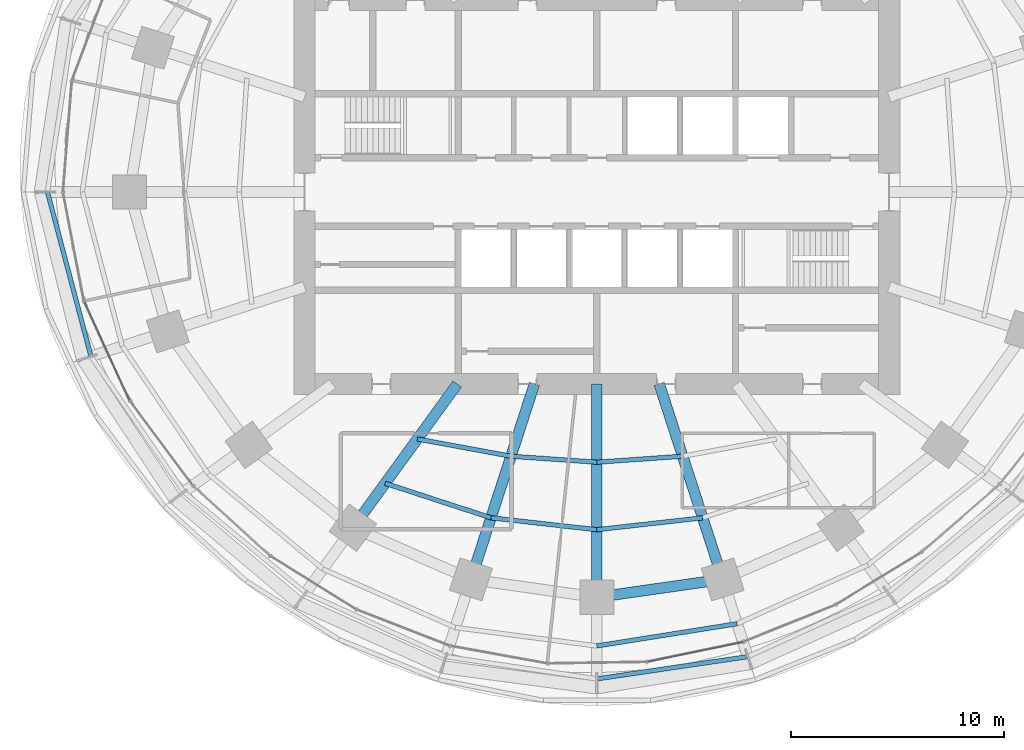
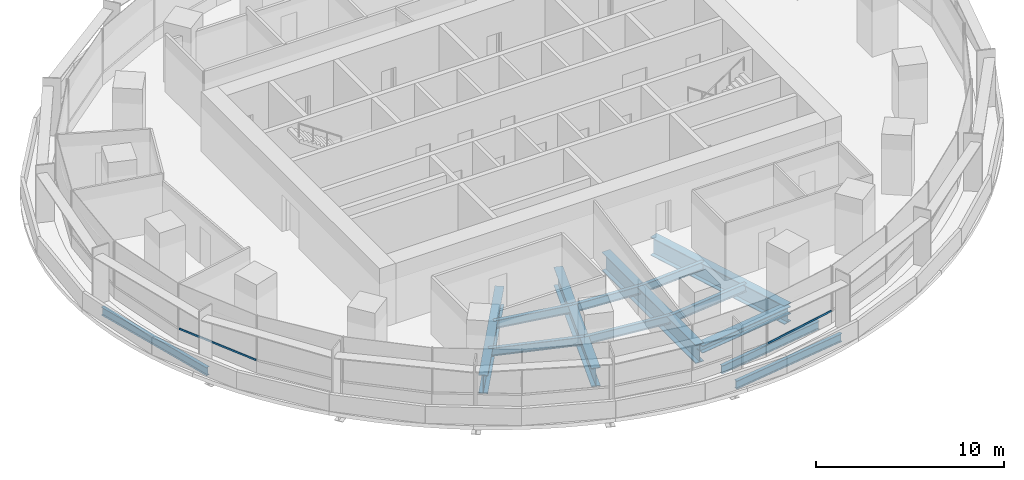
# One storey, part 3 of 15: 13 beams, 3 members, 2 elements without a shape of their own.
"""IFC4 building model written with IfcOpenShell, lengths in metres."""

from ifc_helpers import new_model, si_unit, direction, frame, origin, origin_2d, place, context, subcontext, project, spatial, rectangle, i_section, extrude, material, material_profile, profile_set, type_object, element, aggregate, save


model = new_model("IFC4")

# Units and contexts
model_context = context("Model", 3, precision=1e-05, world=origin(), true_north=direction((0.0, 1.0)))
body_context = subcontext(model_context, "Body", "Model", "MODEL_VIEW")
ifc_project = project(units=[si_unit("LENGTHUNIT", "METRE"), si_unit("AREAUNIT", "SQUARE_METRE"), si_unit("VOLUMEUNIT", "CUBIC_METRE"), si_unit("PLANEANGLEUNIT", "RADIAN"), si_unit("MASSUNIT", "GRAM", prefix="KILO")], contexts=[model_context])

# Site, building, storey
site_placement = place(None, origin())
site = spatial("IfcSite", under=ifc_project, at=site_placement, CompositionType="ELEMENT")
building_placement = place(site_placement, origin())
building = spatial("IfcBuilding", under=site, at=building_placement, Name="Marramba Exchange Tower", CompositionType="ELEMENT")
storey_placement = place(building_placement, frame((0.0, 0.0, 92.39990234375)))
storey = spatial("IfcBuildingStorey", under=building, at=storey_placement, Name="L21", CompositionType="ELEMENT", Elevation=92.39990234375)

# Member
ifc_material_1 = material(Name="Steel AS/NZS 3679.2 grade 300", Category="steel")
ifc_material_profile_1 = material_profile(ifc_material_1, i_section(OverallWidth=0.5, OverallDepth=0.47998046875, WebThickness=0.0400390625, FlangeThickness=0.0400390625, at=origin_2d()), Name="500WC440")
ifc_profile_set_1 = profile_set([ifc_material_profile_1], Name="Steel AS/NZS 3679.2 grade 300")
member_type_1 = type_object("IfcMemberType", Name="Belt truss chord 500WC440", PredefinedType="CHORD", material=ifc_profile_set_1)
member_1_placement = place(storey_placement, frame((0.0, -18.99609375, -0.43994140625), z_axis=(0.990036163016, 0.140813337152, 0.0), x_axis=(-0.140813337152, 0.990036163016, 0.0)))
element("IfcMember", 1, at=member_1_placement, inside=storey, type_object=member_type_1, Name="Belt chord L21 TC16-TC17", PredefinedType="CHORD", context=body_context, shape_type="SweptSolid", body=[
    extrude(i_section(OverallWidth=0.5, OverallDepth=0.47998046875, WebThickness=0.0400390625, FlangeThickness=0.0400390625, at=origin_2d()), origin(), (0.0, 0.0, 1.0), 5.958984375),
])

# Beams
ifc_material_2 = material(Name="Steel AS/NZS 3679.1 grade 300", Category="steel")
ifc_material_profile_2 = material_profile(ifc_material_2, i_section(OverallWidth=0.208984375, OverallDepth=0.532958984375, WebThickness=0.01025390625, FlangeThickness=0.015625, FilletRadius=0.013916015625, at=origin_2d()), Name="530UB92.4")
ifc_profile_set_2 = profile_set([ifc_material_profile_2], Name="Steel AS/NZS 3679.1 grade 300")
beam_type_1 = type_object("IfcBeamType", Name="Floor joist 530UB92.4", PredefinedType="JOIST", material=ifc_profile_set_2)
beam_1_placement = place(storey_placement, frame((-8.41162109375, -11.57763671875, -0.46630859375), z_axis=(0.983455754421, -0.181148500119, 0.0), x_axis=(0.181148500119, 0.983455754421, 0.0)))
element("IfcBeam", 2, at=beam_1_placement, inside=storey, type_object=beam_type_1, Name="Joist L21 bay 14 row 1", PredefinedType="JOIST", context=body_context, shape_type="SweptSolid", body=[
    extrude(i_section(OverallWidth=0.208984375, OverallDepth=0.532958984375, WebThickness=0.01025390625, FlangeThickness=0.015625, FilletRadius=0.013916015625, at=origin_2d()), origin(), (0.0, 0.0, 1.0), 4.4609375),
])
beam_2_placement = place(storey_placement, frame((-9.9208984375, -13.655029296875, -0.46630859375), z_axis=(0.950764024931, -0.309915744834, 0.0), x_axis=(0.309915744834, 0.950764024931, 0.0)))
element("IfcBeam", 3, at=beam_2_placement, inside=storey, type_object=beam_type_1, Name="Joist L21 bay 14 row 2", PredefinedType="JOIST", context=body_context, shape_type="SweptSolid", body=[
    extrude(i_section(OverallWidth=0.208984375, OverallDepth=0.532958984375, WebThickness=0.01025390625, FlangeThickness=0.015625, FilletRadius=0.013916015625, at=origin_2d()), origin(), (0.0, 0.0, 1.0), 5.2158203125),
])
beam_3_placement = place(storey_placement, frame((-4.0244140625, -12.3857421875, -0.46630859375), z_axis=(0.99759625901, -0.069294328838, 0.0), x_axis=(0.069294328838, 0.99759625901, 0.0)))
element("IfcBeam", 4, at=beam_3_placement, inside=storey, type_object=beam_type_1, Name="Joist L21 bay 15 row 1", PredefinedType="JOIST", context=body_context, shape_type="SweptSolid", body=[
    extrude(i_section(OverallWidth=0.208984375, OverallDepth=0.532958984375, WebThickness=0.01025390625, FlangeThickness=0.015625, FilletRadius=0.013916015625, at=origin_2d()), origin(), (0.0, 0.0, 1.0), 4.0341796875),
])
beam_4_placement = place(storey_placement, frame((-4.9619140625, -15.271484375, -0.46630859375), z_axis=(0.993712018573, -0.111966174106, 0.0), x_axis=(0.111966174106, 0.993712018573, 0.0)))
element("IfcBeam", 5, at=beam_4_placement, inside=storey, type_object=beam_type_1, Name="Joist L21 bay 15 row 2", PredefinedType="JOIST", context=body_context, shape_type="SweptSolid", body=[
    extrude(i_section(OverallWidth=0.208984375, OverallDepth=0.532958984375, WebThickness=0.01025390625, FlangeThickness=0.015625, FilletRadius=0.013916015625, at=origin_2d()), origin(), (0.0, 0.0, 1.0), 4.993408203125),
])
beam_5_placement = place(storey_placement, frame((0.0, -12.665283203125, -0.46630859375), z_axis=(0.99759625901, 0.069294328838, 0.0), x_axis=(-0.069294328838, 0.99759625901, 0.0)))
element("IfcBeam", 6, at=beam_5_placement, inside=storey, type_object=beam_type_1, Name="Joist L21 bay 16 row 1", PredefinedType="JOIST", context=body_context, shape_type="SweptSolid", body=[
    extrude(i_section(OverallWidth=0.208984375, OverallDepth=0.532958984375, WebThickness=0.01025390625, FlangeThickness=0.015625, FilletRadius=0.013916015625, at=origin_2d()), origin(), (0.0, 0.0, 1.0), 4.0341796875),
])
beam_6_placement = place(storey_placement, frame((0.0, -15.83056640625, -0.46630859375), z_axis=(0.993712018573, 0.111966174106, 0.0), x_axis=(-0.111966174106, 0.993712018573, 0.0)))
element("IfcBeam", 7, at=beam_6_placement, inside=storey, type_object=beam_type_1, Name="Joist L21 bay 16 row 2", PredefinedType="JOIST", context=body_context, shape_type="SweptSolid", body=[
    extrude(i_section(OverallWidth=0.208984375, OverallDepth=0.532958984375, WebThickness=0.01025390625, FlangeThickness=0.015625, FilletRadius=0.013916015625, at=origin_2d()), origin(), (0.0, 0.0, 1.0), 4.993408203125),
])

# Curtain wall, member
ifc_material_3 = material(Name="Aluminium framing, bronze anodised", Category="aluminium")
curtain_wall_type = type_object("IfcCurtainWallType", Name="Office ribbon curtain wall", PredefinedType="USERDEFINED", material=ifc_material_3)
curtain_wall_1_placement = place(storey_placement, origin())
curtain_wall_1 = element("IfcCurtainWall", 8, at=curtain_wall_1_placement, inside=storey, type_object=curtain_wall_type, Name="Curtain wall CW4 L21 F16-F20", ObjectType="RIBBON CURTAIN WALL", PredefinedType="USERDEFINED")
ifc_material_4 = material(Name="Aluminium transom, bronze anodised", Category="aluminium")
ifc_material_profile_3 = material_profile(ifc_material_4, rectangle(XDim=0.06005859375, YDim=0.1201171875, at=origin_2d()), Name="CW4 transom 60x120")
ifc_profile_set_3 = profile_set([ifc_material_profile_3], Name="Aluminium transom, bronze anodised")
member_type_2 = type_object("IfcMemberType", Name="Office ribbon curtain wall transom", PredefinedType="USERDEFINED", material=ifc_profile_set_3)
member_2_placement = place(storey_placement, frame((-24.013671875, -5.1640625, 0.830078125), z_axis=(0.416732948599, -0.909028959688, 0.0), x_axis=(0.909028959688, 0.416732948599, 0.0)))
member_2 = element("IfcMember", 9, at=member_2_placement, type_object=member_type_2, Name="CW4 sill transom", ObjectType="TRANSOM", PredefinedType="USERDEFINED", context=body_context, shape_type="SweptSolid", body=[
    extrude(rectangle(XDim=0.06005859375, YDim=0.1201171875, at=origin_2d()), origin(), (0.0, 0.0, 1.0), 5.050048828125),
])
aggregate(curtain_wall_1, [member_2])

curtain_wall_2_placement = place(storey_placement, origin())
curtain_wall_2 = element("IfcCurtainWall", 10, at=curtain_wall_2_placement, inside=storey, type_object=curtain_wall_type, Name="Curtain wall CW4 L21 F21-F25", ObjectType="RIBBON CURTAIN WALL", PredefinedType="USERDEFINED")
member_3_placement = place(storey_placement, frame((2.374267578125, -22.017822265625, 0.830078125), z_axis=(0.979310422034, 0.202363774661, 0.0), x_axis=(-0.202363774661, 0.979310422034, 0.0)))
member_3 = element("IfcMember", 11, at=member_3_placement, type_object=member_type_2, Name="CW4 sill transom", ObjectType="TRANSOM", PredefinedType="USERDEFINED", context=body_context, shape_type="SweptSolid", body=[
    extrude(rectangle(XDim=0.06005859375, YDim=0.1201171875, at=origin_2d()), origin(), (0.0, 0.0, 1.0), 4.57373046875),
])
aggregate(curtain_wall_2, [member_3])

# Beams
ifc_material_profile_4 = material_profile(ifc_material_1, i_section(OverallWidth=0.5, OverallDepth=1.199951171875, WebThickness=0.01611328125, FlangeThickness=0.0400390625, at=origin_2d()), Name="1200WB455")
ifc_profile_set_4 = profile_set([ifc_material_profile_4], Name="Steel AS/NZS 3679.2 grade 300")
beam_type_2 = type_object("IfcBeamType", Name="Radial girder 1200WB455", PredefinedType="BEAM", material=ifc_profile_set_4)
beam_7_placement = place(storey_placement, frame((-6.538818359375, -9.0, -0.7998046875), z_axis=(-0.587787877172, -0.809015087282, 0.0), x_axis=(0.809015087282, -0.587787877172, 0.0)))
element("IfcBeam", 12, at=beam_7_placement, inside=storey, type_object=beam_type_2, Name="Radial girder L21 TC14", PredefinedType="BEAM", context=body_context, shape_type="SweptSolid", body=[
    extrude(i_section(OverallWidth=0.5, OverallDepth=1.199951171875, WebThickness=0.01611328125, FlangeThickness=0.0400390625, at=origin_2d()), origin(), (0.0, 0.0, 1.0), 8.322021484375),
])
beam_8_placement = place(storey_placement, frame((-2.92431640625, -9.0, -0.7998046875), z_axis=(-0.309022428985, -0.951054750466, 0.0), x_axis=(0.951054750466, -0.309022428985, 0.0)))
element("IfcBeam", 13, at=beam_8_placement, inside=storey, type_object=beam_type_2, Name="Radial girder L21 TC15", PredefinedType="BEAM", context=body_context, shape_type="SweptSolid", body=[
    extrude(i_section(OverallWidth=0.5, OverallDepth=1.199951171875, WebThickness=0.01611328125, FlangeThickness=0.0400390625, at=origin_2d()), origin(), (0.0, 0.0, 1.0), 9.628173828125),
])
beam_9_placement = place(storey_placement, frame((0.0, -9.0, -0.7998046875), z_axis=(0.0, -1.0, 0.0), x_axis=(1.0, 0.0, 0.0)))
element("IfcBeam", 14, at=beam_9_placement, inside=storey, type_object=beam_type_2, Name="Radial girder L21 TC16", PredefinedType="BEAM", context=body_context, shape_type="SweptSolid", body=[
    extrude(i_section(OverallWidth=0.5, OverallDepth=1.199951171875, WebThickness=0.01611328125, FlangeThickness=0.0400390625, at=origin_2d()), origin(), (0.0, 0.0, 1.0), 9.99609375),
])
beam_10_placement = place(storey_placement, frame((2.92431640625, -9.0, -0.7998046875), z_axis=(0.309022428985, -0.951054750466, 0.0), x_axis=(0.951054750466, 0.309022428985, 0.0)))
element("IfcBeam", 15, at=beam_10_placement, inside=storey, type_object=beam_type_2, Name="Radial girder L21 TC17", PredefinedType="BEAM", context=body_context, shape_type="SweptSolid", body=[
    extrude(i_section(OverallWidth=0.5, OverallDepth=1.199951171875, WebThickness=0.01611328125, FlangeThickness=0.0400390625, at=origin_2d()), origin(), (0.0, 0.0, 1.0), 9.628173828125),
])
ifc_material_profile_5 = material_profile(ifc_material_2, i_section(OverallWidth=0.208984375, OverallDepth=0.528076171875, WebThickness=0.009521484375, FlangeThickness=0.01318359375, FilletRadius=0.013916015625, at=origin_2d()), Name="530UB82.0")
ifc_profile_set_5 = profile_set([ifc_material_profile_5], Name="Steel AS/NZS 3679.1 grade 300")
beam_type_3 = type_object("IfcBeamType", Name="Slab edge beam 530UB82.0", PredefinedType="SPANDREL", material=ifc_profile_set_5)
beam_11_placement = place(storey_placement, frame((-25.75, 0.0, -0.513916015625), z_axis=(0.25601296674, -0.966673347549, 0.0), x_axis=(0.966673347549, 0.25601296674, 0.0)))
element("IfcBeam", 16, at=beam_11_placement, inside=storey, type_object=beam_type_3, Name="Setback roof edge beam L21 TC11-TC12", PredefinedType="SPANDREL", context=body_context, shape_type="SweptSolid", body=[
    extrude(i_section(OverallWidth=0.208984375, OverallDepth=0.528076171875, WebThickness=0.009521484375, FlangeThickness=0.01318359375, FilletRadius=0.013916015625, at=origin_2d()), origin(), (0.0, 0.0, 1.0), 7.969482421875),
])
beam_12_placement = place(storey_placement, frame((0.0, -22.822021484375, -0.513916015625), z_axis=(0.989338462178, 0.145634498848, 0.0), x_axis=(-0.145634498848, 0.989338462178, 0.0)))
element("IfcBeam", 17, at=beam_12_placement, inside=storey, type_object=beam_type_3, Name="Setback roof edge beam L21 TC16-TC17", PredefinedType="SPANDREL", context=body_context, shape_type="SweptSolid", body=[
    extrude(i_section(OverallWidth=0.208984375, OverallDepth=0.528076171875, WebThickness=0.009521484375, FlangeThickness=0.01318359375, FilletRadius=0.013916015625, at=origin_2d()), origin(), (0.0, 0.0, 1.0), 7.153076171875),
])
beam_13_placement = place(storey_placement, frame((0.0, -21.27685546875, -0.4638671875), z_axis=(0.987708786678, 0.156305318908, 0.0), x_axis=(-0.156305318908, 0.987708786678, 0.0)))
element("IfcBeam", 18, at=beam_13_placement, inside=storey, type_object=beam_type_3, Name="Slab edge beam L21 TC16-TC17", PredefinedType="SPANDREL", context=body_context, shape_type="SweptSolid", body=[
    extrude(i_section(OverallWidth=0.208984375, OverallDepth=0.528076171875, WebThickness=0.009521484375, FlangeThickness=0.01318359375, FilletRadius=0.013916015625, at=origin_2d()), origin(), (0.0, 0.0, 1.0), 6.656982421875),
])

save(model, "model.ifc")
